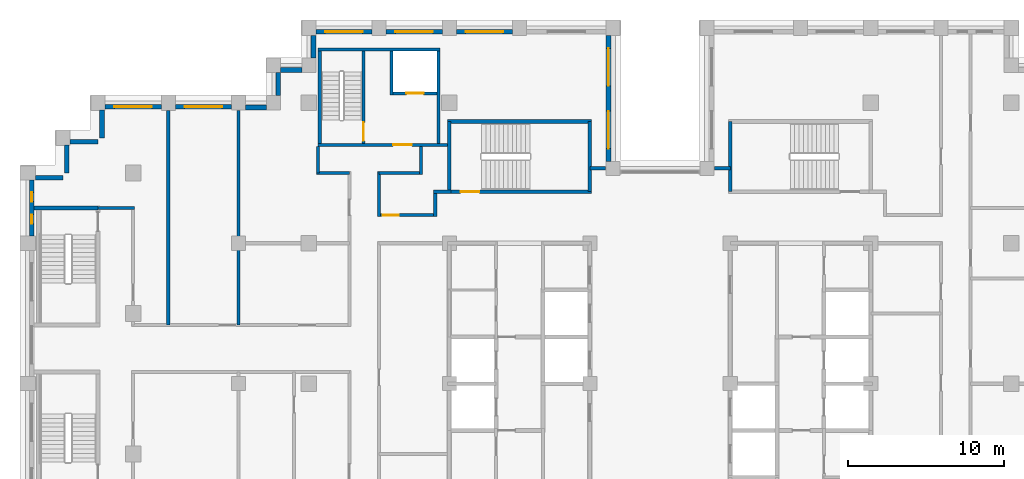
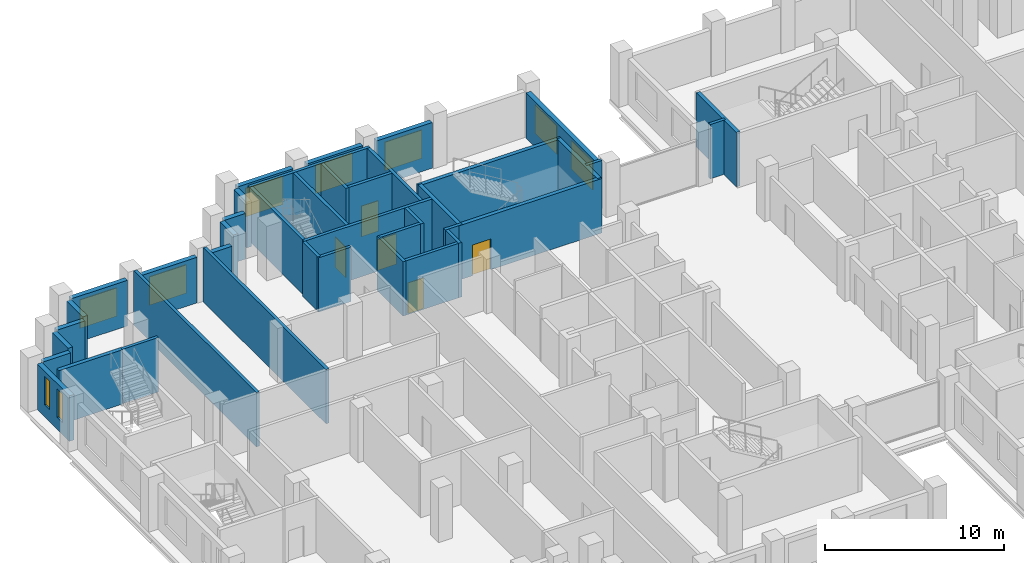
# One storey, part 10 of 15: 41 walls, 9 windows, 5 doors, 14 openings.
"""IFC4 building model written with IfcOpenShell, lengths in metres."""

from ifc_helpers import new_model, si_unit, direction, frame, frame_2d, origin, place, context, subcontext, project, spatial, rectangle, extrude, material, layer, layer_set, type_object, element, fill, save


model = new_model("IFC4")

# Units and contexts
model_context = context("Model", 3, precision=1e-05, world=origin(), true_north=direction((0.0, 1.0)))
body_context = subcontext(model_context, "Body", "Model", "MODEL_VIEW")
ifc_project = project(units=[si_unit("LENGTHUNIT", "METRE"), si_unit("AREAUNIT", "SQUARE_METRE"), si_unit("VOLUMEUNIT", "CUBIC_METRE"), si_unit("PLANEANGLEUNIT", "RADIAN"), si_unit("MASSUNIT", "GRAM", prefix="KILO")], contexts=[model_context])

# Site, building, storey
site_placement = place(None, origin())
site = spatial("IfcSite", under=ifc_project, at=site_placement, CompositionType="ELEMENT")
building_placement = place(site_placement, origin())
building = spatial("IfcBuilding", under=site, at=building_placement, Name="Corbelhall Arena Tower", CompositionType="ELEMENT")
storey_placement = place(building_placement, frame((0.0, 0.0, 188.0)))
storey = spatial("IfcBuildingStorey", under=building, at=storey_placement, Name="L38", CompositionType="ELEMENT", Elevation=188.0)

# Walls
ifc_material_1 = material(Name="Precast concrete C40/50 with granite facing", Category="masonry")
ifc_layer_1 = layer(ifc_material_1, 0.300048828125)
ifc_layer_set_1 = layer_set([ifc_layer_1], Name="EV-IW1 Infill panel 300")
wall_type_1 = type_object("IfcWallType", Name="EV-IW1 Infill panel 300", PredefinedType="SOLIDWALL", material=ifc_layer_set_1)
for number, where, z_axis, x_axis, name in (
    (1, (-35.75, 17.550048828125, 0.0), (0.0, 0.0, 1.0), (0.0, -1.0, 0.0), "Infill panel IW1"),
    (2, (-37.800048828125, 15.5, 0.0), (0.0, 0.0, 1.0), (1.0, 0.0, 0.0), "Infill panel IW1"),
    (3, (-38.0, 15.300048828125, 0.0), (0.0, 0.0, 1.0), (0.0, -1.0, 0.0), "Infill panel IW1"),
):
    element("IfcWall", number, at=place(storey_placement, frame(where, z_axis=z_axis, x_axis=x_axis)), inside=storey, type_object=wall_type_1, Name=name, PredefinedType="SOLIDWALL", context=body_context, shape_type="SweptSolid", body=[
        extrude(rectangle(XDim=1.800048828125, YDim=0.300048828125, at=frame_2d((0.89990234375, 0.0))), origin(), (0.0, 0.0, 1.0), 3.1201171875),
    ])
wall_1_placement = place(storey_placement, frame((-40.0, 13.199951171875, 0.0), z_axis=(0.0, 0.0, 1.0), x_axis=(1.0, 0.0, 0.0)))
element("IfcWall", 4, at=wall_1_placement, inside=storey, type_object=wall_type_1, Name="Infill panel IW1", PredefinedType="SOLIDWALL", context=body_context, shape_type="SweptSolid", body=[
    extrude(rectangle(XDim=1.75, YDim=0.300048828125, at=frame_2d((0.875, 0.0))), origin(), (0.0, 0.0, 1.0), 3.1201171875),
])
wall_2_placement = place(storey_placement, frame((-22.949951171875, 20.10009765625, 0.0), z_axis=(0.0, 0.0, 1.0), x_axis=(-1.0, 0.0, 0.0)))
element("IfcWall", 5, at=wall_2_placement, inside=storey, type_object=wall_type_1, Name="Infill panel IW1", PredefinedType="SOLIDWALL", context=body_context, shape_type="SweptSolid", body=[
    extrude(rectangle(XDim=1.35009765625, YDim=0.300048828125, at=frame_2d((0.675048828125, 0.0))), origin(), (0.0, 0.0, 1.0), 3.1201171875),
])
wall_3_placement = place(storey_placement, frame((-24.449951171875, 19.949951171875, 0.0), z_axis=(0.0, 0.0, 1.0), x_axis=(0.0, -1.0, 0.0)))
element("IfcWall", 6, at=wall_3_placement, inside=storey, type_object=wall_type_1, Name="Infill panel IW1", PredefinedType="SOLIDWALL", context=body_context, shape_type="SweptSolid", body=[
    extrude(rectangle(XDim=1.5, YDim=0.300048828125, at=frame_2d((0.75, 0.0))), origin(), (0.0, 0.0, 1.0), 3.1201171875),
])
wall_4_placement = place(storey_placement, frame((-25.199951171875, 17.699951171875, 0.0), z_axis=(0.0, 0.0, 1.0), x_axis=(-1.0, 0.0, 0.0)))
element("IfcWall", 7, at=wall_4_placement, inside=storey, type_object=wall_type_1, Name="Infill panel IW1", PredefinedType="SOLIDWALL", context=body_context, shape_type="SweptSolid", body=[
    extrude(rectangle(XDim=1.35009765625, YDim=0.300048828125, at=frame_2d((0.675048828125, 0.0))), origin(), (0.0, 0.0, 1.0), 3.1201171875),
])

# Wall, opening, window
wall_5_placement = place(storey_placement, frame((-27.449951171875, 17.75, 0.0), z_axis=(0.0, 0.0, 1.0), x_axis=(-1.0, 0.0, 0.0)))
wall_5 = element("IfcWall", 8, at=wall_5_placement, inside=storey, type_object=wall_type_1, Name="Infill panel IW1", PredefinedType="SOLIDWALL", context=body_context, shape_type="SweptSolid", body=[
    extrude(rectangle(XDim=3.60009765625, YDim=0.300048828125, at=frame_2d((1.800048828125, 0.0))), origin(), (0.0, 0.0, 1.0), 3.1201171875),
])
opening_1_placement = place(wall_5_placement, frame((0.60009765625, 0.0, 0.800048828125)))
opening_1 = element("IfcOpeningElement", 9, at=opening_1_placement, cuts=wall_5, Name="Opening WN1", PredefinedType="OPENING", context=body_context, shape_type="SweptSolid", body=[
    extrude(rectangle(XDim=2.39990234375, YDim=1.949951171875, at=frame_2d((1.199951171875, 0.97509765625))), frame((0.0, 0.14990234375, 0.0), z_axis=(0.0, -1.0, 0.0), x_axis=(1.0, 0.0, 0.0)), (0.0, 0.0, 1.0), 0.300048828125),
])
ifc_material_2 = material(Name="Aluminium black anodised", Category="aluminium")
window_type_1 = type_object("IfcWindowType", Name="EV-WN1 Office window", PartitioningType="SINGLE_PANEL", PredefinedType="WINDOW", material=ifc_material_2)
window_1_placement = place(opening_1_placement, origin())
window_1 = element("IfcWindow", 10, at=window_1_placement, inside=storey, type_object=window_type_1, Name="Window WN1", OverallHeight=1.949951171875, OverallWidth=2.39990234375, PartitioningType="SINGLE_PANEL", PredefinedType="WINDOW", context=body_context, shape_type="SweptSolid", body=[
    extrude(rectangle(XDim=2.39990234375, YDim=1.949951171875, at=frame_2d((1.199951171875, 0.97509765625))), frame((0.0, 0.030029296875, 0.0), z_axis=(0.0, -1.0, 0.0), x_axis=(1.0, 0.0, 0.0)), (0.0, 0.0, 1.0), 0.06005859375),
])
fill(opening_1, window_1)

wall_6_placement = place(storey_placement, frame((-31.949951171875, 17.75, 0.0), z_axis=(0.0, 0.0, 1.0), x_axis=(-1.0, 0.0, 0.0)))
wall_6 = element("IfcWall", 11, at=wall_6_placement, inside=storey, type_object=wall_type_1, Name="Infill panel IW1", PredefinedType="SOLIDWALL", context=body_context, shape_type="SweptSolid", body=[
    extrude(rectangle(XDim=3.60009765625, YDim=0.300048828125, at=frame_2d((1.800048828125, 0.0))), origin(), (0.0, 0.0, 1.0), 3.1201171875),
])
opening_2_placement = place(wall_6_placement, frame((0.60009765625, 0.0, 0.800048828125)))
opening_2 = element("IfcOpeningElement", 12, at=opening_2_placement, cuts=wall_6, Name="Opening WN1", PredefinedType="OPENING", context=body_context, shape_type="SweptSolid", body=[
    extrude(rectangle(XDim=2.39990234375, YDim=1.949951171875, at=frame_2d((1.199951171875, 0.97509765625))), frame((0.0, 0.14990234375, 0.0), z_axis=(0.0, -1.0, 0.0), x_axis=(1.0, 0.0, 0.0)), (0.0, 0.0, 1.0), 0.300048828125),
])
window_2_placement = place(opening_2_placement, origin())
window_2 = element("IfcWindow", 13, at=window_2_placement, inside=storey, type_object=window_type_1, Name="Window WN1", OverallHeight=1.949951171875, OverallWidth=2.39990234375, PartitioningType="SINGLE_PANEL", PredefinedType="WINDOW", context=body_context, shape_type="SweptSolid", body=[
    extrude(rectangle(XDim=2.39990234375, YDim=1.949951171875, at=frame_2d((1.199951171875, 0.97509765625))), frame((0.0, 0.030029296875, 0.0), z_axis=(0.0, -1.0, 0.0), x_axis=(1.0, 0.0, 0.0)), (0.0, 0.0, 1.0), 0.06005859375),
])
fill(opening_2, window_2)

# Wall, openings, windows
wall_7_placement = place(storey_placement, frame((-40.25, 13.050048828125, 0.0), z_axis=(0.0, 0.0, 1.0), x_axis=(0.0, -1.0, 0.0)))
wall_7 = element("IfcWall", 14, at=wall_7_placement, inside=storey, type_object=wall_type_1, Name="Infill panel IW1", PredefinedType="SOLIDWALL", context=body_context, shape_type="SweptSolid", body=[
    extrude(rectangle(XDim=3.60009765625, YDim=0.300048828125, at=frame_2d((1.800048828125, 0.0))), origin(), (0.0, 0.0, 1.0), 3.1201171875),
])
opening_3_placement = place(wall_7_placement, frame((0.78759765625, 0.0, 0.800048828125)))
opening_3 = element("IfcOpeningElement", 15, at=opening_3_placement, cuts=wall_7, Name="Opening WN5", PredefinedType="OPENING", context=body_context, shape_type="SweptSolid", body=[
    extrude(rectangle(XDim=0.60009765625, YDim=1.949951171875, at=frame_2d((0.300048828125, 0.97509765625))), frame((0.0, 0.14990234375, 0.0), z_axis=(0.0, -1.0, 0.0), x_axis=(1.0, 0.0, 0.0)), (0.0, 0.0, 1.0), 0.300048828125),
])
opening_4_placement = place(wall_7_placement, frame((2.21240234375, 0.0, 0.800048828125)))
opening_4 = element("IfcOpeningElement", 16, at=opening_4_placement, cuts=wall_7, Name="Opening WN5", PredefinedType="OPENING", context=body_context, shape_type="SweptSolid", body=[
    extrude(rectangle(XDim=0.60009765625, YDim=1.949951171875, at=frame_2d((0.300048828125, 0.97509765625))), frame((0.0, 0.14990234375, 0.0), z_axis=(0.0, -1.0, 0.0), x_axis=(1.0, 0.0, 0.0)), (0.0, 0.0, 1.0), 0.300048828125),
])
window_type_2 = type_object("IfcWindowType", Name="EV-WN5 Office window 600", PartitioningType="SINGLE_PANEL", PredefinedType="WINDOW", material=ifc_material_2)
window_3_placement = place(opening_3_placement, origin())
window_3 = element("IfcWindow", 17, at=window_3_placement, inside=storey, type_object=window_type_2, Name="Window WN5", OverallHeight=1.949951171875, OverallWidth=0.60009765625, PartitioningType="SINGLE_PANEL", PredefinedType="WINDOW", context=body_context, shape_type="SweptSolid", body=[
    extrude(rectangle(XDim=0.60009765625, YDim=1.949951171875, at=frame_2d((0.300048828125, 0.97509765625))), frame((0.0, 0.030029296875, 0.0), z_axis=(0.0, -1.0, 0.0), x_axis=(1.0, 0.0, 0.0)), (0.0, 0.0, 1.0), 0.06005859375),
])
fill(opening_3, window_3)
window_4_placement = place(opening_4_placement, origin())
window_4 = element("IfcWindow", 18, at=window_4_placement, inside=storey, type_object=window_type_2, Name="Window WN5", OverallHeight=1.949951171875, OverallWidth=0.60009765625, PartitioningType="SINGLE_PANEL", PredefinedType="WINDOW", context=body_context, shape_type="SweptSolid", body=[
    extrude(rectangle(XDim=0.60009765625, YDim=1.949951171875, at=frame_2d((0.300048828125, 0.97509765625))), frame((0.0, 0.030029296875, 0.0), z_axis=(0.0, -1.0, 0.0), x_axis=(1.0, 0.0, 0.0)), (0.0, 0.0, 1.0), 0.06005859375),
])
fill(opening_4, window_4)

wall_8_placement = place(storey_placement, frame((-3.300048828125, 14.25, 0.0), z_axis=(0.0, 0.0, 1.0), x_axis=(0.0, 1.0, 0.0)))
wall_8 = element("IfcWall", 19, at=wall_8_placement, inside=storey, type_object=wall_type_1, Name="Infill panel IW1", PredefinedType="SOLIDWALL", context=body_context, shape_type="SweptSolid", body=[
    extrude(rectangle(XDim=8.050048828125, YDim=0.300048828125, at=frame_2d((4.02490234375, 0.0))), origin(), (0.0, 0.0, 1.0), 3.1201171875),
])
opening_5_placement = place(wall_8_placement, frame((0.8125, 0.0, 0.800048828125)))
opening_5 = element("IfcOpeningElement", 20, at=opening_5_placement, cuts=wall_8, Name="Opening WN1", PredefinedType="OPENING", context=body_context, shape_type="SweptSolid", body=[
    extrude(rectangle(XDim=2.39990234375, YDim=1.949951171875, at=frame_2d((1.199951171875, 0.97509765625))), frame((0.0, 0.14990234375, 0.0), z_axis=(0.0, -1.0, 0.0), x_axis=(1.0, 0.0, 0.0)), (0.0, 0.0, 1.0), 0.300048828125),
])
opening_6_placement = place(wall_8_placement, frame((4.83740234375, 0.0, 0.800048828125)))
opening_6 = element("IfcOpeningElement", 21, at=opening_6_placement, cuts=wall_8, Name="Opening WN1", PredefinedType="OPENING", context=body_context, shape_type="SweptSolid", body=[
    extrude(rectangle(XDim=2.39990234375, YDim=1.949951171875, at=frame_2d((1.199951171875, 0.97509765625))), frame((0.0, 0.14990234375, 0.0), z_axis=(0.0, -1.0, 0.0), x_axis=(1.0, 0.0, 0.0)), (0.0, 0.0, 1.0), 0.300048828125),
])
window_5_placement = place(opening_5_placement, origin())
window_5 = element("IfcWindow", 22, at=window_5_placement, inside=storey, type_object=window_type_1, Name="Window WN1", OverallHeight=1.949951171875, OverallWidth=2.39990234375, PartitioningType="SINGLE_PANEL", PredefinedType="WINDOW", context=body_context, shape_type="SweptSolid", body=[
    extrude(rectangle(XDim=2.39990234375, YDim=1.949951171875, at=frame_2d((1.199951171875, 0.97509765625))), frame((0.0, 0.030029296875, 0.0), z_axis=(0.0, -1.0, 0.0), x_axis=(1.0, 0.0, 0.0)), (0.0, 0.0, 1.0), 0.06005859375),
])
fill(opening_5, window_5)
window_6_placement = place(opening_6_placement, origin())
window_6 = element("IfcWindow", 23, at=window_6_placement, inside=storey, type_object=window_type_1, Name="Window WN1", OverallHeight=1.949951171875, OverallWidth=2.39990234375, PartitioningType="SINGLE_PANEL", PredefinedType="WINDOW", context=body_context, shape_type="SweptSolid", body=[
    extrude(rectangle(XDim=2.39990234375, YDim=1.949951171875, at=frame_2d((1.199951171875, 0.97509765625))), frame((0.0, 0.030029296875, 0.0), z_axis=(0.0, -1.0, 0.0), x_axis=(1.0, 0.0, 0.0)), (0.0, 0.0, 1.0), 0.06005859375),
])
fill(opening_6, window_6)

# Wall, opening, window
wall_9_placement = place(storey_placement, frame((-9.449951171875, 22.550048828125, 0.0), z_axis=(0.0, 0.0, 1.0), x_axis=(-1.0, 0.0, 0.0)))
wall_9 = element("IfcWall", 24, at=wall_9_placement, inside=storey, type_object=wall_type_1, Name="Infill panel IW1", PredefinedType="SOLIDWALL", context=body_context, shape_type="SweptSolid", body=[
    extrude(rectangle(XDim=3.60009765625, YDim=0.300048828125, at=frame_2d((1.800048828125, 0.0))), origin(), (0.0, 0.0, 1.0), 3.1201171875),
])
opening_7_placement = place(wall_9_placement, frame((0.60009765625, 0.0, 0.800048828125)))
opening_7 = element("IfcOpeningElement", 25, at=opening_7_placement, cuts=wall_9, Name="Opening WN1", PredefinedType="OPENING", context=body_context, shape_type="SweptSolid", body=[
    extrude(rectangle(XDim=2.39990234375, YDim=1.949951171875, at=frame_2d((1.199951171875, 0.97509765625))), frame((0.0, 0.14990234375, 0.0), z_axis=(0.0, -1.0, 0.0), x_axis=(1.0, 0.0, 0.0)), (0.0, 0.0, 1.0), 0.300048828125),
])
window_7_placement = place(opening_7_placement, origin())
window_7 = element("IfcWindow", 26, at=window_7_placement, inside=storey, type_object=window_type_1, Name="Window WN1", OverallHeight=1.949951171875, OverallWidth=2.39990234375, PartitioningType="SINGLE_PANEL", PredefinedType="WINDOW", context=body_context, shape_type="SweptSolid", body=[
    extrude(rectangle(XDim=2.39990234375, YDim=1.949951171875, at=frame_2d((1.199951171875, 0.97509765625))), frame((0.0, 0.030029296875, 0.0), z_axis=(0.0, -1.0, 0.0), x_axis=(1.0, 0.0, 0.0)), (0.0, 0.0, 1.0), 0.06005859375),
])
fill(opening_7, window_7)

wall_10_placement = place(storey_placement, frame((-13.949951171875, 22.550048828125, 0.0), z_axis=(0.0, 0.0, 1.0), x_axis=(-1.0, 0.0, 0.0)))
wall_10 = element("IfcWall", 27, at=wall_10_placement, inside=storey, type_object=wall_type_1, Name="Infill panel IW1", PredefinedType="SOLIDWALL", context=body_context, shape_type="SweptSolid", body=[
    extrude(rectangle(XDim=3.60009765625, YDim=0.300048828125, at=frame_2d((1.800048828125, 0.0))), origin(), (0.0, 0.0, 1.0), 3.1201171875),
])
opening_8_placement = place(wall_10_placement, frame((0.60009765625, 0.0, 0.800048828125)))
opening_8 = element("IfcOpeningElement", 28, at=opening_8_placement, cuts=wall_10, Name="Opening WN1", PredefinedType="OPENING", context=body_context, shape_type="SweptSolid", body=[
    extrude(rectangle(XDim=2.39990234375, YDim=1.949951171875, at=frame_2d((1.199951171875, 0.97509765625))), frame((0.0, 0.14990234375, 0.0), z_axis=(0.0, -1.0, 0.0), x_axis=(1.0, 0.0, 0.0)), (0.0, 0.0, 1.0), 0.300048828125),
])
window_8_placement = place(opening_8_placement, origin())
window_8 = element("IfcWindow", 29, at=window_8_placement, inside=storey, type_object=window_type_1, Name="Window WN1", OverallHeight=1.949951171875, OverallWidth=2.39990234375, PartitioningType="SINGLE_PANEL", PredefinedType="WINDOW", context=body_context, shape_type="SweptSolid", body=[
    extrude(rectangle(XDim=2.39990234375, YDim=1.949951171875, at=frame_2d((1.199951171875, 0.97509765625))), frame((0.0, 0.030029296875, 0.0), z_axis=(0.0, -1.0, 0.0), x_axis=(1.0, 0.0, 0.0)), (0.0, 0.0, 1.0), 0.06005859375),
])
fill(opening_8, window_8)

wall_11_placement = place(storey_placement, frame((-18.449951171875, 22.550048828125, 0.0), z_axis=(0.0, 0.0, 1.0), x_axis=(-1.0, 0.0, 0.0)))
wall_11 = element("IfcWall", 30, at=wall_11_placement, inside=storey, type_object=wall_type_1, Name="Infill panel IW1", PredefinedType="SOLIDWALL", context=body_context, shape_type="SweptSolid", body=[
    extrude(rectangle(XDim=3.60009765625, YDim=0.300048828125, at=frame_2d((1.800048828125, 0.0))), origin(), (0.0, 0.0, 1.0), 3.1201171875),
])
opening_9_placement = place(wall_11_placement, frame((0.60009765625, 0.0, 0.800048828125)))
opening_9 = element("IfcOpeningElement", 31, at=opening_9_placement, cuts=wall_11, Name="Opening WN1", PredefinedType="OPENING", context=body_context, shape_type="SweptSolid", body=[
    extrude(rectangle(XDim=2.39990234375, YDim=1.949951171875, at=frame_2d((1.199951171875, 0.97509765625))), frame((0.0, 0.14990234375, 0.0), z_axis=(0.0, -1.0, 0.0), x_axis=(1.0, 0.0, 0.0)), (0.0, 0.0, 1.0), 0.300048828125),
])
window_9_placement = place(opening_9_placement, origin())
window_9 = element("IfcWindow", 32, at=window_9_placement, inside=storey, type_object=window_type_1, Name="Window WN1", OverallHeight=1.949951171875, OverallWidth=2.39990234375, PartitioningType="SINGLE_PANEL", PredefinedType="WINDOW", context=body_context, shape_type="SweptSolid", body=[
    extrude(rectangle(XDim=2.39990234375, YDim=1.949951171875, at=frame_2d((1.199951171875, 0.97509765625))), frame((0.0, 0.030029296875, 0.0), z_axis=(0.0, -1.0, 0.0), x_axis=(1.0, 0.0, 0.0)), (0.0, 0.0, 1.0), 0.06005859375),
])
fill(opening_9, window_9)

# Walls
wall_12_placement = place(storey_placement, frame((-22.199951171875, 22.300048828125, 0.0), z_axis=(0.0, 0.0, 1.0), x_axis=(0.0, -1.0, 0.0)))
element("IfcWall", 33, at=wall_12_placement, inside=storey, type_object=wall_type_1, Name="Infill panel IW1", PredefinedType="SOLIDWALL", context=body_context, shape_type="SweptSolid", body=[
    extrude(rectangle(XDim=1.449951171875, YDim=0.300048828125, at=frame_2d((0.72509765625, 0.0))), origin(), (0.0, 0.0, 1.0), 3.1201171875),
])
ifc_material_3 = material(Name="Gypsum board on steel stud, acoustic", Category="steel")
ifc_layer_2 = layer(ifc_material_3, 0.199951171875)
ifc_layer_set_2 = layer_set([ifc_layer_2], Name="IN-W-DM200")
wall_type_2 = type_object("IfcWallType", Name="IN-W-DM200", PredefinedType="PARTITIONING", material=ifc_layer_set_2)
wall_13_placement = place(storey_placement, frame((-36.0, 11.25, 0.0), z_axis=(0.0, 0.0, 1.0), x_axis=(1.0, 0.0, 0.0)))
element("IfcWall", 34, at=wall_13_placement, inside=storey, type_object=wall_type_2, Name="Partition 001", PredefinedType="PARTITIONING", context=body_context, shape_type="SweptSolid", body=[
    extrude(rectangle(XDim=2.35009765625, YDim=0.199951171875, at=frame_2d((1.175048828125, 0.0))), origin(), (0.0, 0.0, 1.0), 3.719970703125),
])
for number, where, z_axis, x_axis, name in (
    (35, (-31.5, 17.5, 0.0), (0.0, 0.0, 1.0), (0.0, -1.0, 0.0), "Partition 006"),
    (36, (-27.0, 3.75, 0.0), (0.0, 0.0, 1.0), (0.0, 1.0, 0.0), "Partition 009"),
):
    element("IfcWall", number, at=place(storey_placement, frame(where, z_axis=z_axis, x_axis=x_axis)), inside=storey, type_object=wall_type_2, Name=name, PredefinedType="PARTITIONING", context=body_context, shape_type="SweptSolid", body=[
        extrude(rectangle(XDim=13.75, YDim=0.199951171875, at=frame_2d((6.875, 0.0))), origin(), (0.0, 0.0, 1.0), 3.719970703125),
    ])
wall_14_placement = place(storey_placement, frame((-21.89990234375, 13.5, 0.0), z_axis=(0.0, 0.0, 1.0), x_axis=(0.0, 1.0, 0.0)))
element("IfcWall", 37, at=wall_14_placement, inside=storey, type_object=wall_type_2, Name="Partition 015", PredefinedType="PARTITIONING", context=body_context, shape_type="SweptSolid", body=[
    extrude(rectangle(XDim=1.699951171875, YDim=0.199951171875, at=frame_2d((0.85009765625, 0.0))), origin(), (0.0, 0.0, 1.0), 3.719970703125),
])
wall_15_placement = place(storey_placement, frame((-19.89990234375, 13.5, 0.0), z_axis=(0.0, 0.0, 1.0), x_axis=(-1.0, 0.0, 0.0)))
element("IfcWall", 38, at=wall_15_placement, inside=storey, type_object=wall_type_2, Name="Partition 018", PredefinedType="PARTITIONING", context=body_context, shape_type="SweptSolid", body=[
    extrude(rectangle(XDim=2.10009765625, YDim=0.199951171875, at=frame_2d((1.050048828125, 0.0))), origin(), (0.0, 0.0, 1.0), 3.719970703125),
])

# Wall, opening, door
wall_16_placement = place(storey_placement, frame((-18.0, 10.800048828125, 0.0), z_axis=(0.0, 0.0, 1.0), x_axis=(1.0, 0.0, 0.0)))
wall_16 = element("IfcWall", 39, at=wall_16_placement, inside=storey, type_object=wall_type_2, Name="Partition 023", PredefinedType="PARTITIONING", context=body_context, shape_type="SweptSolid", body=[
    extrude(rectangle(XDim=3.60009765625, YDim=0.199951171875, at=frame_2d((1.800048828125, 0.0))), origin(), (0.0, 0.0, 1.0), 3.719970703125),
])
opening_10_placement = place(wall_16_placement, frame((0.25, 0.0, 0.0)))
opening_10 = element("IfcOpeningElement", 40, at=opening_10_placement, cuts=wall_16, Name="Opening 11027", PredefinedType="OPENING", context=body_context, shape_type="SweptSolid", body=[
    extrude(rectangle(XDim=1.0, YDim=2.10009765625, at=frame_2d((0.5, 1.050048828125))), frame((0.0, 0.10009765625, 0.0), z_axis=(0.0, -1.0, 0.0), x_axis=(1.0, 0.0, 0.0)), (0.0, 0.0, 1.0), 0.199951171875),
])
ifc_material_4 = material(Name="Steel door set", Category="steel")
door_type_1 = type_object("IfcDoorType", Name="IN-D-SW100", OperationType="NOTDEFINED", PredefinedType="DOOR", material=ifc_material_4)
door_1_placement = place(opening_10_placement, origin())
door_1 = element("IfcDoor", 41, at=door_1_placement, inside=storey, type_object=door_type_1, Name="Door 027", OperationType="SINGLE_SWING_RIGHT", OverallHeight=2.10009765625, OverallWidth=1.0, PredefinedType="DOOR", context=body_context, shape_type="SweptSolid", body=[
    extrude(rectangle(XDim=1.0, YDim=2.10009765625, at=frame_2d((0.5, 1.050048828125))), frame((0.0, 0.02490234375, 0.0), z_axis=(0.0, -1.0, 0.0), x_axis=(1.0, 0.0, 0.0)), (0.0, 0.0, 1.0), 0.050048828125),
])
fill(opening_10, door_1)

# Walls
wall_17_placement = place(storey_placement, frame((-18.0, 13.60009765625, 0.0), z_axis=(0.0, 0.0, 1.0), x_axis=(0.0, -1.0, 0.0)))
element("IfcWall", 42, at=wall_17_placement, inside=storey, type_object=wall_type_2, Name="Partition 024", PredefinedType="PARTITIONING", context=body_context, shape_type="SweptSolid", body=[
    extrude(rectangle(XDim=2.900146484375, YDim=0.199951171875, at=frame_2d((1.4501953125, 0.0))), origin(), (0.0, 0.0, 1.0), 3.719970703125),
])
wall_18_placement = place(storey_placement, frame((-15.300048828125, 13.5, 0.0), z_axis=(0.0, 0.0, 1.0), x_axis=(-1.0, 0.0, 0.0)))
element("IfcWall", 43, at=wall_18_placement, inside=storey, type_object=wall_type_2, Name="Partition 025", PredefinedType="PARTITIONING", context=body_context, shape_type="SweptSolid", body=[
    extrude(rectangle(XDim=2.699951171875, YDim=0.199951171875, at=frame_2d((1.35009765625, 0.0))), origin(), (0.0, 0.0, 1.0), 3.719970703125),
])
wall_19_placement = place(storey_placement, frame((-15.300048828125, 15.199951171875, 0.0), z_axis=(0.0, 0.0, 1.0), x_axis=(0.0, -1.0, 0.0)))
element("IfcWall", 44, at=wall_19_placement, inside=storey, type_object=wall_type_2, Name="Partition 026", PredefinedType="PARTITIONING", context=body_context, shape_type="SweptSolid", body=[
    extrude(rectangle(XDim=1.800048828125, YDim=0.199951171875, at=frame_2d((0.89990234375, 0.0))), origin(), (0.0, 0.0, 1.0), 3.719970703125),
])
wall_20_placement = place(storey_placement, frame((-14.5, 12.300048828125, 0.0), z_axis=(0.0, 0.0, 1.0), x_axis=(1.0, 0.0, 0.0)))
element("IfcWall", 45, at=wall_20_placement, inside=storey, type_object=wall_type_2, Name="Partition 027", PredefinedType="PARTITIONING", context=body_context, shape_type="SweptSolid", body=[
    extrude(rectangle(XDim=1.125, YDim=0.199951171875, at=frame_2d((0.5625, 0.0))), origin(), (0.0, 0.0, 1.0), 3.719970703125),
])
wall_21_placement = place(storey_placement, frame((-14.39990234375, 10.699951171875, 0.0), z_axis=(0.0, 0.0, 1.0), x_axis=(0.0, 1.0, 0.0)))
element("IfcWall", 46, at=wall_21_placement, inside=storey, type_object=wall_type_2, Name="Partition 031", PredefinedType="PARTITIONING", context=body_context, shape_type="SweptSolid", body=[
    extrude(rectangle(XDim=1.60009765625, YDim=0.199951171875, at=frame_2d((0.800048828125, 0.0))), origin(), (0.0, 0.0, 1.0), 3.719970703125),
])
for number, where, z_axis, x_axis, name in (
    (47, (-4.5, 13.800048828125, 0.0), (0.0, 0.0, 1.0), (1.0, 0.0, 0.0), "Partition 033"),
    (48, (3.5, 13.800048828125, 0.0), (0.0, 0.0, 1.0), (1.0, 0.0, 0.0), "Partition 035"),
):
    element("IfcWall", number, at=place(storey_placement, frame(where, z_axis=z_axis, x_axis=x_axis)), inside=storey, type_object=wall_type_2, Name=name, PredefinedType="PARTITIONING", context=body_context, shape_type="SweptSolid", body=[
        extrude(rectangle(XDim=1.0, YDim=0.199951171875, at=frame_2d((0.5, 0.0))), origin(), (0.0, 0.0, 1.0), 3.719970703125),
    ])

# Wall, opening, door
ifc_material_5 = material(Name="Concrete C40/50", Category="concrete")
ifc_layer_3 = layer(ifc_material_5, 0.199951171875)
ifc_layer_set_3 = layer_set([ifc_layer_3], Name="IN-W-EAR200")
wall_type_3 = type_object("IfcWallType", Name="IN-W-EAR200", PredefinedType="SOLIDWALL", material=ifc_layer_set_3)
wall_22_placement = place(storey_placement, frame((-21.89990234375, 15.300048828125, 0.0), z_axis=(0.0, 0.0, 1.0), x_axis=(1.0, 0.0, 0.0)))
wall_22 = element("IfcWall", 49, at=wall_22_placement, inside=storey, type_object=wall_type_3, Name="Fire service turret wall south", PredefinedType="SOLIDWALL", context=body_context, shape_type="SweptSolid", body=[
    extrude(rectangle(XDim=8.27490234375, YDim=0.199951171875, at=frame_2d((4.137451171875, 0.0))), origin(), (0.0, 0.0, 1.0), 3.719970703125),
])
opening_11_placement = place(wall_22_placement, frame((4.800048828125, 0.0, 0.0)))
opening_11 = element("IfcOpeningElement", 50, at=opening_11_placement, cuts=wall_22, Name="Opening E112", PredefinedType="OPENING", context=body_context, shape_type="SweptSolid", body=[
    extrude(rectangle(XDim=1.199951171875, YDim=2.10009765625, at=frame_2d((0.60009765625, 1.050048828125))), frame((0.0, 0.10009765625, 0.0), z_axis=(0.0, -1.0, 0.0), x_axis=(1.0, 0.0, 0.0)), (0.0, 0.0, 1.0), 0.199951171875),
])
door_type_2 = type_object("IfcDoorType", Name="IN-D-ST120", OperationType="NOTDEFINED", PredefinedType="DOOR", material=ifc_material_4)
door_2_placement = place(opening_11_placement, origin())
door_2 = element("IfcDoor", 51, at=door_2_placement, inside=storey, type_object=door_type_2, Name="Door from fire service lift lobby to circulation", OperationType="SINGLE_SWING_RIGHT", OverallHeight=2.10009765625, OverallWidth=1.199951171875, PredefinedType="DOOR", context=body_context, shape_type="SweptSolid", body=[
    extrude(rectangle(XDim=1.199951171875, YDim=2.10009765625, at=frame_2d((0.60009765625, 1.050048828125))), frame((0.0, 0.02490234375, 0.0), z_axis=(0.0, -1.0, 0.0), x_axis=(1.0, 0.0, 0.0)), (0.0, 0.0, 1.0), 0.050048828125),
])
fill(opening_11, door_2)

# Walls
wall_23_placement = place(storey_placement, frame((-21.89990234375, 21.39990234375, 0.0), z_axis=(0.0, 0.0, 1.0), x_axis=(1.0, 0.0, 0.0)))
element("IfcWall", 52, at=wall_23_placement, inside=storey, type_object=wall_type_3, Name="Fire service turret wall north", PredefinedType="SOLIDWALL", context=body_context, shape_type="SweptSolid", body=[
    extrude(rectangle(XDim=7.7998046875, YDim=0.199951171875, at=frame_2d((3.89990234375, 0.0))), origin(), (0.0, 0.0, 1.0), 3.719970703125),
])
for number, where, z_axis, x_axis, name in (
    (53, (-21.800048828125, 15.39990234375, 0.0), (0.0, 0.0, 1.0), (0.0, 1.0, 0.0), "Fire service turret wall west"),
    (54, (-14.199951171875, 15.39990234375, 0.0), (0.0, 0.0, 1.0), (0.0, 1.0, 0.0), "Fire service turret wall east"),
):
    element("IfcWall", number, at=place(storey_placement, frame(where, z_axis=z_axis, x_axis=x_axis)), inside=storey, type_object=wall_type_3, Name=name, PredefinedType="SOLIDWALL", context=body_context, shape_type="SweptSolid", body=[
        extrude(rectangle(XDim=5.900146484375, YDim=0.199951171875, at=frame_2d((2.9501953125, 0.0))), origin(), (0.0, 0.0, 1.0), 3.719970703125),
    ])

# Wall, opening, door
wall_24_placement = place(storey_placement, frame((-18.989990234375, 15.39990234375, 0.0), z_axis=(0.0, 0.0, 1.0), x_axis=(0.0, 1.0, 0.0)))
wall_24 = element("IfcWall", 55, at=wall_24_placement, inside=storey, type_object=wall_type_3, Name="Fire service turret wall stair", PredefinedType="SOLIDWALL", context=body_context, shape_type="SweptSolid", body=[
    extrude(rectangle(XDim=5.900146484375, YDim=0.199951171875, at=frame_2d((2.9501953125, 0.0))), origin(), (0.0, 0.0, 1.0), 3.719970703125),
])
opening_12_placement = place(wall_24_placement, frame((0.14990234375, 0.0, 0.0)))
opening_12 = element("IfcOpeningElement", 56, at=opening_12_placement, cuts=wall_24, Name="Opening E111", PredefinedType="OPENING", context=body_context, shape_type="SweptSolid", body=[
    extrude(rectangle(XDim=1.199951171875, YDim=2.10009765625, at=frame_2d((0.60009765625, 1.050048828125))), frame((0.0, 0.10009765625, 0.0), z_axis=(0.0, -1.0, 0.0), x_axis=(1.0, 0.0, 0.0)), (0.0, 0.0, 1.0), 0.199951171875),
])
door_3_placement = place(opening_12_placement, origin())
door_3 = element("IfcDoor", 57, at=door_3_placement, inside=storey, type_object=door_type_2, Name="Stair door to fire service lobby", OperationType="SINGLE_SWING_LEFT", OverallHeight=2.10009765625, OverallWidth=1.199951171875, PredefinedType="DOOR", context=body_context, shape_type="SweptSolid", body=[
    extrude(rectangle(XDim=1.199951171875, YDim=2.10009765625, at=frame_2d((0.60009765625, 1.050048828125))), frame((0.0, 0.02490234375, 0.0), z_axis=(0.0, -1.0, 0.0), x_axis=(1.0, 0.0, 0.0)), (0.0, 0.0, 1.0), 0.050048828125),
])
fill(opening_12, door_3)

# Wall
wall_25_placement = place(storey_placement, frame((-17.199951171875, 18.5, 0.0), z_axis=(0.0, 0.0, 1.0), x_axis=(0.0, 1.0, 0.0)))
element("IfcWall", 58, at=wall_25_placement, inside=storey, type_object=wall_type_3, Name="Fire service turret wall hoistway west", PredefinedType="SOLIDWALL", context=body_context, shape_type="SweptSolid", body=[
    extrude(rectangle(XDim=2.800048828125, YDim=0.199951171875, at=frame_2d((1.39990234375, 0.0))), origin(), (0.0, 0.0, 1.0), 3.719970703125),
])

# Wall, opening, door
wall_26_placement = place(storey_placement, frame((-17.10009765625, 18.60009765625, 0.0), z_axis=(0.0, 0.0, 1.0), x_axis=(1.0, 0.0, 0.0)))
wall_26 = element("IfcWall", 59, at=wall_26_placement, inside=storey, type_object=wall_type_3, Name="Fire service turret wall hoistway south", PredefinedType="SOLIDWALL", context=body_context, shape_type="SweptSolid", body=[
    extrude(rectangle(XDim=2.800048828125, YDim=0.199951171875, at=frame_2d((1.39990234375, 0.0))), origin(), (0.0, 0.0, 1.0), 3.719970703125),
])
opening_13_placement = place(wall_26_placement, frame((0.85009765625, 0.0, 0.0)))
opening_13 = element("IfcOpeningElement", 60, at=opening_13_placement, cuts=wall_26, Name="Opening LD", PredefinedType="OPENING", context=body_context, shape_type="SweptSolid", body=[
    extrude(rectangle(XDim=1.10009765625, YDim=2.10009765625, at=frame_2d((0.550048828125, 1.050048828125))), frame((0.0, 0.10009765625, 0.0), z_axis=(0.0, -1.0, 0.0), x_axis=(1.0, 0.0, 0.0)), (0.0, 0.0, 1.0), 0.199951171875),
])
door_type_3 = type_object("IfcDoorType", Name="IN-D-LD110", OperationType="NOTDEFINED", PredefinedType="DOOR", material=ifc_material_4)
door_4_placement = place(opening_13_placement, origin())
door_4 = element("IfcDoor", 61, at=door_4_placement, inside=storey, type_object=door_type_3, Name="Landing door FS1", OperationType="SLIDING_TO_LEFT", OverallHeight=2.10009765625, OverallWidth=1.10009765625, PredefinedType="DOOR", context=body_context, shape_type="SweptSolid", body=[
    extrude(rectangle(XDim=1.10009765625, YDim=2.10009765625, at=frame_2d((0.550048828125, 1.050048828125))), frame((0.0, 0.02490234375, 0.0), z_axis=(0.0, -1.0, 0.0), x_axis=(1.0, 0.0, 0.0)), (0.0, 0.0, 1.0), 0.050048828125),
])
fill(opening_13, door_4)

# Wall
ifc_layer_4 = layer(ifc_material_5, 0.25)
ifc_layer_set_4 = layer_set([ifc_layer_4], Name="IN-W-ST250")
wall_type_4 = type_object("IfcWallType", Name="IN-W-ST250", PredefinedType="SOLIDWALL", material=ifc_layer_set_4)
wall_27_placement = place(storey_placement, frame((-40.10009765625, 11.25, 0.0), z_axis=(0.0, 0.0, 1.0), x_axis=(1.0, 0.0, 0.0)))
element("IfcWall", 62, at=wall_27_placement, inside=storey, type_object=wall_type_4, Name="Shaft wall 098", PredefinedType="SOLIDWALL", context=body_context, shape_type="SweptSolid", body=[
    extrude(rectangle(XDim=4.10009765625, YDim=0.25, at=frame_2d((2.050048828125, 0.0))), origin(), (0.0, 0.0, 1.0), 3.719970703125),
])

# Wall, opening, door
wall_28_placement = place(storey_placement, frame((-13.625, 12.300048828125, 0.0), z_axis=(0.0, 0.0, 1.0), x_axis=(1.0, 0.0, 0.0)))
wall_28 = element("IfcWall", 63, at=wall_28_placement, inside=storey, type_object=wall_type_4, Name="Shaft wall 103", PredefinedType="SOLIDWALL", context=body_context, shape_type="SweptSolid", body=[
    extrude(rectangle(XDim=9.25, YDim=0.25, at=frame_2d((4.625, 0.0))), origin(), (0.0, 0.0, 1.0), 3.719970703125),
])
opening_14_placement = place(wall_28_placement, frame((0.85009765625, 0.0, 0.0)))
opening_14 = element("IfcOpeningElement", 64, at=opening_14_placement, cuts=wall_28, Name="Opening 11016", PredefinedType="OPENING", context=body_context, shape_type="SweptSolid", body=[
    extrude(rectangle(XDim=1.199951171875, YDim=2.10009765625, at=frame_2d((0.60009765625, 1.050048828125))), frame((0.0, 0.125, 0.0), z_axis=(0.0, -1.0, 0.0), x_axis=(1.0, 0.0, 0.0)), (0.0, 0.0, 1.0), 0.25),
])
door_5_placement = place(opening_14_placement, origin())
door_5 = element("IfcDoor", 65, at=door_5_placement, inside=storey, type_object=door_type_2, Name="Door 016", OperationType="SINGLE_SWING_LEFT", OverallHeight=2.10009765625, OverallWidth=1.199951171875, PredefinedType="DOOR", context=body_context, shape_type="SweptSolid", body=[
    extrude(rectangle(XDim=1.199951171875, YDim=2.10009765625, at=frame_2d((0.60009765625, 1.050048828125))), frame((0.0, 0.02490234375, 0.0), z_axis=(0.0, -1.0, 0.0), x_axis=(1.0, 0.0, 0.0)), (0.0, 0.0, 1.0), 0.050048828125),
])
fill(opening_14, door_5)

# Walls
wall_29_placement = place(storey_placement, frame((-13.625, 16.800048828125, 0.0), z_axis=(0.0, 0.0, 1.0), x_axis=(1.0, 0.0, 0.0)))
element("IfcWall", 66, at=wall_29_placement, inside=storey, type_object=wall_type_4, Name="Shaft wall 104", PredefinedType="SOLIDWALL", context=body_context, shape_type="SweptSolid", body=[
    extrude(rectangle(XDim=9.25, YDim=0.25, at=frame_2d((4.625, 0.0))), origin(), (0.0, 0.0, 1.0), 3.719970703125),
])
for number, where, z_axis, x_axis, name in (
    (67, (-13.5, 12.300048828125, 0.0), (0.0, 0.0, 1.0), (0.0, 1.0, 0.0), "Shaft wall 106"),
    (68, (-4.5, 16.800048828125, 0.0), (0.0, 0.0, 1.0), (0.0, -1.0, 0.0), "Shaft wall 109"),
    (69, (4.5, 12.300048828125, 0.0), (0.0, 0.0, 1.0), (0.0, 1.0, 0.0), "Shaft wall 114"),
):
    element("IfcWall", number, at=place(storey_placement, frame(where, z_axis=z_axis, x_axis=x_axis)), inside=storey, type_object=wall_type_4, Name=name, PredefinedType="SOLIDWALL", context=body_context, shape_type="SweptSolid", body=[
        extrude(rectangle(XDim=4.5, YDim=0.25, at=frame_2d((2.25, 0.0))), origin(), (0.0, 0.0, 1.0), 3.719970703125),
    ])

save(model, "model.ifc")
